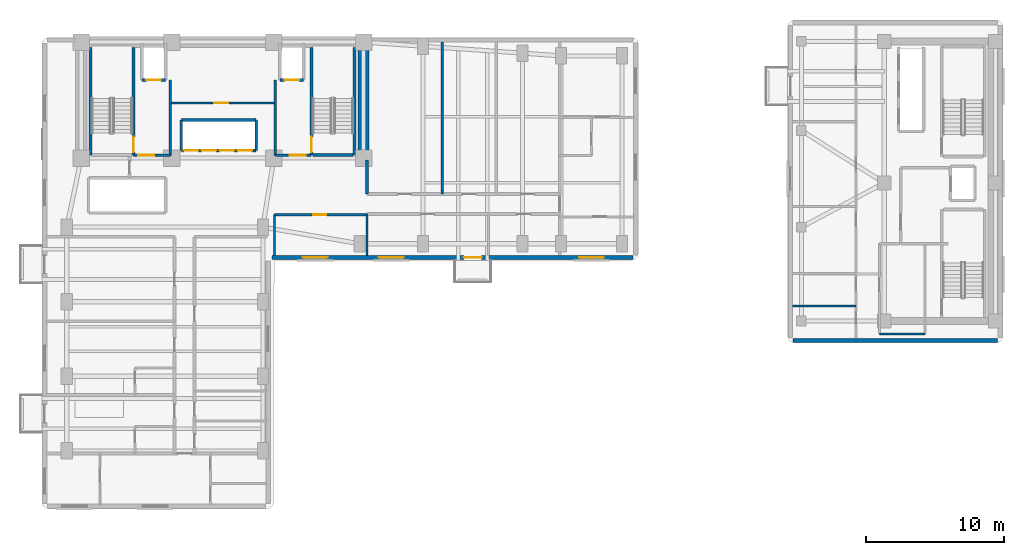
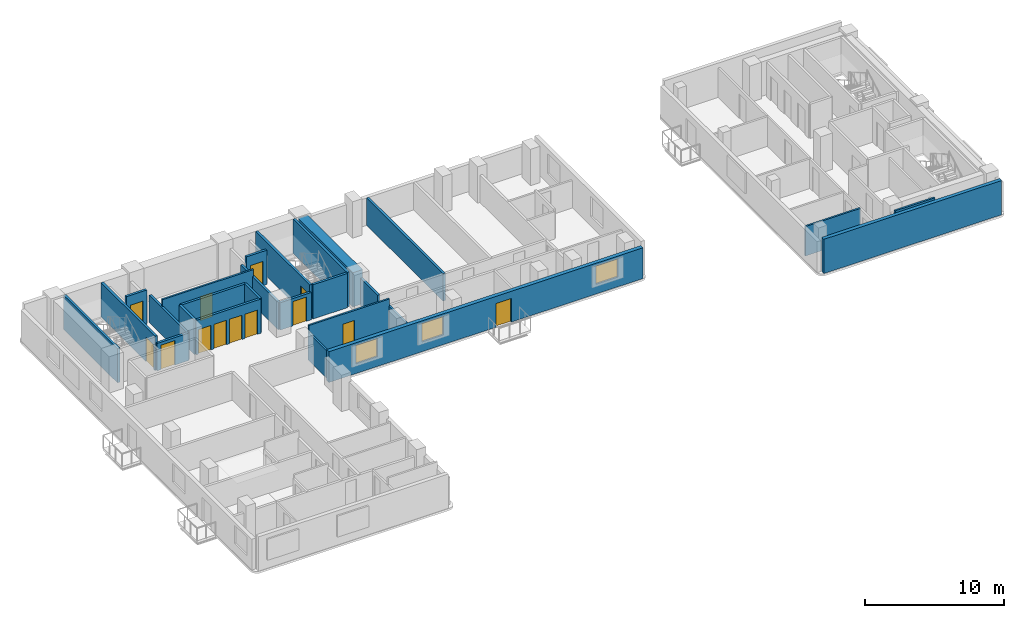
# One storey, part 4 of 9: 26 walls, 13 doors, 3 windows, 16 openings.
"""IFC4 building model written with IfcOpenShell, lengths in metres."""

import ifcopenshell
import ifcopenshell.guid

model = None  # the IFC model being written
_history = None  # IfcOwnerHistory: only IFC2X3 demands one
_inside = {}  # id of a spatial element -> (the spatial element, [elements in it])
_under = {}  # id of a project, library or spatial element -> (it, [spatial elements below it])
_declared = {}  # id of a project -> (the project, [libraries it declares])
_typed = {}  # id of a type object -> (the type object, [elements of that type])
_made_of = {}  # id of a material, layer set ... -> (it, [elements and type objects made of it])


def new_model(schema):
    """Start an empty IFC model of exactly this schema.

    Asked for "IFC4X3", IfcOpenShell would pick the latest addendum, in which some entities
    have other attributes; the version numbers below select the first issue.
    IFC2X3 requires an IfcOwnerHistory on every rooted entity: one is made here for all.
    """
    global model, _history
    if schema == "IFC4X3":
        model = ifcopenshell.file(schema_version=(4, 3, 0, 0))
    else:
        model = ifcopenshell.file(schema=schema)
    _inside.clear()
    _under.clear()
    _declared.clear()
    _typed.clear()
    _made_of.clear()
    _history = None
    if model.schema == "IFC2X3":
        org = make("IfcOrganization", Name="unknown")
        user = make(
            "IfcPersonAndOrganization",
            ThePerson=make("IfcPerson", FamilyName="unknown"),
            TheOrganization=org,
        )
        app = make(
            "IfcApplication",
            ApplicationDeveloper=org,
            Version="unknown",
            ApplicationFullName="unknown",
            ApplicationIdentifier="unknown",
        )
        _history = make(
            "IfcOwnerHistory",
            OwningUser=user,
            OwningApplication=app,
            ChangeAction="ADDED",
            CreationDate=0,
        )
    return model


def make(cls, **values):
    """One entity of the class cls with the attributes given. An attribute that is None is left unset."""
    return model.create_entity(
        cls, **{name: value for name, value in values.items() if value is not None}
    )


def rooted(cls, **values):
    """An entity with a GlobalId (a new one), such as an element, a storey or a relation."""
    return make(cls, GlobalId=ifcopenshell.guid.new(), OwnerHistory=_history, **values)


def si_unit(unit_type, name, prefix=None):
    """IfcSIUnit, for example si_unit("LENGTHUNIT", "METRE", prefix="MILLI")."""
    return make("IfcSIUnit", UnitType=unit_type, Prefix=prefix, Name=name)


def assignment(units):
    """IfcUnitAssignment: the units of a project."""
    return None if units is None else make("IfcUnitAssignment", Units=units)


def point(xyz):
    """IfcCartesianPoint."""
    return None if xyz is None else make("IfcCartesianPoint", Coordinates=xyz)


def direction(xyz):
    """IfcDirection."""
    return None if xyz is None else make("IfcDirection", DirectionRatios=xyz)


def frame(location, z_axis=None, x_axis=None):
    """IfcAxis2Placement3D, a coordinate frame: its origin and axes. An axis left out is left unset."""
    return make(
        "IfcAxis2Placement3D",
        Location=point(location),
        Axis=direction(z_axis),
        RefDirection=direction(x_axis),
    )


def frame_2d(location, x_axis=None):
    """IfcAxis2Placement2D, a coordinate frame in the plane: its origin and x axis."""
    return make(
        "IfcAxis2Placement2D", Location=point(location), RefDirection=direction(x_axis)
    )


def origin():
    """The frame at (0, 0, 0) with its axes left unset."""
    return frame((0.0, 0.0, 0.0))


def place(relative_to, where):
    """IfcLocalPlacement: puts the frame where relative to a parent placement (None: the world)."""
    return make(
        "IfcLocalPlacement", PlacementRelTo=relative_to, RelativePlacement=where
    )


def context(
    kind, dimensions, precision=None, world=None, true_north=None, identifier=None
):
    """IfcGeometricRepresentationContext, for example the 3D "Model" context."""
    return make(
        "IfcGeometricRepresentationContext",
        ContextIdentifier=identifier,
        ContextType=kind,
        CoordinateSpaceDimension=dimensions,
        Precision=precision,
        WorldCoordinateSystem=world,
        TrueNorth=true_north,
    )


def subcontext(parent, identifier, kind, view, scale=None):
    """IfcGeometricRepresentationSubContext, for example "Body" below "Model"."""
    return make(
        "IfcGeometricRepresentationSubContext",
        ContextIdentifier=identifier,
        ContextType=kind,
        ParentContext=parent,
        TargetScale=scale,
        TargetView=view,
    )


def project(units=None, contexts=None):
    """IfcProject with its units and contexts."""
    return rooted(
        "IfcProject",
        Name="project",
        RepresentationContexts=contexts,
        UnitsInContext=assignment(units),
    )


def spatial(cls, under=None, at=None, **own):
    """A site, building, storey or space (cls), placed at a placement, below another one or the project."""
    s = rooted(cls, ObjectPlacement=at, **own)
    if under is not None:
        _under.setdefault(under.id(), (under, []))[1].append(s)
    return s


def profile(cls, at=None, kind="AREA", **sizes):
    """A parametric profile (cls). Its sizes go by their IFC names, for example OverallWidth=200.0."""
    return make(cls, ProfileType=kind, Position=at, **sizes)


def rectangle(**sizes):
    """IfcRectangleProfileDef."""
    return profile("IfcRectangleProfileDef", **sizes)


def extrude(swept, where, along, depth):
    """IfcExtrudedAreaSolid: the profile swept, set in the frame where, extruded along a direction by depth."""
    return make(
        "IfcExtrudedAreaSolid",
        SweptArea=swept,
        Position=where,
        ExtrudedDirection=direction(along),
        Depth=depth,
    )


def shape(context_of_items, identifier, shape_type, items):
    """IfcShapeRepresentation: the items that make up one representation, for example the "Body"."""
    return make(
        "IfcShapeRepresentation",
        ContextOfItems=context_of_items,
        RepresentationIdentifier=identifier,
        RepresentationType=shape_type,
        Items=items,
    )


def material(Name=None, Category=None):
    """IfcMaterial."""
    return make("IfcMaterial", Name=Name, Category=Category)


def layer(
    of_material, thickness, ventilated=None, Name=None, Category=None, Priority=None
):
    """IfcMaterialLayer: one layer of a wall or slab, of a material (None: an air gap)."""
    return make(
        "IfcMaterialLayer",
        Material=of_material,
        LayerThickness=thickness,
        IsVentilated=ventilated,
        Name=Name,
        Category=Category,
        Priority=Priority,
    )


def layer_set(layers, Name=None):
    """IfcMaterialLayerSet."""
    return make("IfcMaterialLayerSet", MaterialLayers=layers, LayerSetName=Name)


def made_of(thing, what):
    """Note that an element or type object is made of a material, layer set ...; save() writes the relation."""
    if what is not None:
        _made_of.setdefault(what.id(), (what, []))[1].append(thing)
    return thing


def type_object(cls, material=None, **own):
    """A type object (cls), such as IfcWallType, which elements share."""
    return made_of(rooted(cls, **own), material)


def element(
    cls,
    number,
    at=None,
    inside=None,
    cuts=None,
    type_object=None,
    material=None,
    context=None,
    identifier="Body",
    shape_type=None,
    held_by="IfcProductDefinitionShape",
    body=None,
    shapes=None,
    **own,
):
    """One element of the class cls, such as IfcWall. Its Tag is "e" and its number.

    at: its placement. inside: the storey or other place that contains it. cuts: it is an
    opening in that element (IfcRelVoidsElement). A single representation is given by context,
    identifier, shape_type and body (its items); several are given by shapes. held_by: the class
    of the entity that holds the representations. save() writes the other relations.
    """
    e = rooted(cls, Tag="e%d" % number, ObjectPlacement=at, **own)
    if body is not None:
        shapes = [shape(context, identifier, shape_type, body)]
    if shapes is not None:
        e.Representation = make(held_by, Representations=shapes)
    if inside is not None:
        _inside.setdefault(inside.id(), (inside, []))[1].append(e)
    if cuts is not None:
        rooted(
            "IfcRelVoidsElement", RelatingBuildingElement=cuts, RelatedOpeningElement=e
        )
    if type_object is not None:
        _typed.setdefault(type_object.id(), (type_object, []))[1].append(e)
    return made_of(e, material)


def fill(opening, filler):
    """IfcRelFillsElement: the door or window that sits in an opening."""
    return rooted(
        "IfcRelFillsElement",
        RelatingOpeningElement=opening,
        RelatedBuildingElement=filler,
    )


def aggregate(whole, parts):
    """IfcRelAggregates: a whole, such as a stair, and the parts it consists of."""
    return rooted("IfcRelAggregates", RelatingObject=whole, RelatedObjects=parts)


def save(model, path):
    """Write the relations noted so far, then the file.

    IfcRelAggregates (storeys below a building ...), IfcRelContainedInSpatialStructure (elements
    in a storey), IfcRelDefinesByType, IfcRelAssociatesMaterial and IfcRelDeclares: one each for
    every whole, place, type object, material and project.
    """
    for whole, parts in _under.values():
        aggregate(whole, parts)
    for where, things in _inside.values():
        rooted(
            "IfcRelContainedInSpatialStructure",
            RelatedElements=things,
            RelatingStructure=where,
        )
    for kind, things in _typed.values():
        rooted("IfcRelDefinesByType", RelatedObjects=things, RelatingType=kind)
    for what, things in _made_of.values():
        rooted("IfcRelAssociatesMaterial", RelatedObjects=things, RelatingMaterial=what)
    for by, libraries in _declared.values():
        rooted("IfcRelDeclares", RelatingContext=by, RelatedDefinitions=libraries)
    model.write(path)


model = new_model("IFC4")

# Units and contexts
model_context = context("Model", 3, precision=1e-05, world=origin(), true_north=direction((0.0, 1.0)))
body_context = subcontext(model_context, "Body", "Model", "MODEL_VIEW")
ifc_project = project(units=[si_unit("LENGTHUNIT", "METRE"), si_unit("AREAUNIT", "SQUARE_METRE"), si_unit("VOLUMEUNIT", "CUBIC_METRE"), si_unit("PLANEANGLEUNIT", "RADIAN"), si_unit("MASSUNIT", "GRAM", prefix="KILO")], contexts=[model_context])

# Site, building, storey
site_placement = place(None, origin())
site = spatial("IfcSite", under=ifc_project, at=site_placement, CompositionType="ELEMENT")
building_placement = place(site_placement, origin())
building = spatial("IfcBuilding", under=site, at=building_placement, Name="Kuzgunbayir Cultural Tower", CompositionType="ELEMENT")
storey_placement = place(building_placement, frame((0.0, 0.0, 96.199951171875)))
storey = spatial("IfcBuildingStorey", under=building, at=storey_placement, Name="L27", CompositionType="ELEMENT", Elevation=96.199951171875)

# Walls
ifc_material_1 = material(Name="Concrete C60/75", Category="concrete")
ifc_layer_1 = layer(ifc_material_1, 0.800048828125)
ifc_layer_set_1 = layer_set([ifc_layer_1], Name="Concrete C60/75")
wall_type_1 = type_object("IfcWallType", Name="WAL-CORE-800", PredefinedType="SHEAR", material=ifc_layer_set_1)
wall_1_placement = place(storey_placement, frame((26.89990234375, 33.800048828125, 0.0), z_axis=(0.0, 0.0, 1.0), x_axis=(0.0, 1.0, 0.0)))
element("IfcWall", 1, at=wall_1_placement, inside=storey, type_object=wall_type_1, Name="L27 T1 Core East Shear Wall", PredefinedType="SHEAR", context=body_context, shape_type="SweptSolid", body=[
    extrude(rectangle(XDim=7.949951171875, YDim=0.800048828125, at=frame_2d((3.97509765625, 0.0))), origin(), (0.0, 0.0, 1.0), 3.02001953125),
])
ifc_material_2 = material(Name="Anatolian Cream Limestone", Category="masonry")
ifc_layer_2 = layer(ifc_material_2, 0.300048828125)
ifc_layer_set_2 = layer_set([ifc_layer_2], Name="Anatolian Cream Limestone")
wall_type_2 = type_object("IfcWallType", Name="WAL-EXT-STONE-300", PredefinedType="STANDARD", material=ifc_layer_set_2)
wall_2_placement = place(storey_placement, frame((58.0, 20.60009765625, 0.0), z_axis=(0.0, 0.0, 1.0), x_axis=(1.0, 0.0, 0.0)))
element("IfcWall", 2, at=wall_2_placement, inside=storey, type_object=wall_type_2, Name="L27 Companion South Limestone Wall", PredefinedType="STANDARD", context=body_context, shape_type="SweptSolid", body=[
    extrude(rectangle(XDim=14.800048828125, YDim=0.300048828125, at=frame_2d((7.39990234375, 0.0))), origin(), (0.0, 0.0, 1.0), 3.02001953125),
])

# Wall, openings, door, windows
ifc_material_3 = material(Name="Travertine Buff Ashlar", Category="masonry")
ifc_layer_3 = layer(ifc_material_3, 0.320068359375)
ifc_layer_set_3 = layer_set([ifc_layer_3], Name="Travertine Buff Ashlar")
wall_type_3 = type_object("IfcWallType", Name="WAL-EXT-STONE-320", PredefinedType="STANDARD", material=ifc_layer_set_3)
wall_3_placement = place(storey_placement, frame((20.25, 26.60009765625, 0.0), z_axis=(0.0, 0.0, 1.0), x_axis=(1.0, 0.0, 0.0)))
wall_3 = element("IfcWall", 3, at=wall_3_placement, inside=storey, type_object=wall_type_3, Name="L27 Wing B South Limestone Wall", PredefinedType="STANDARD", context=body_context, shape_type="SweptSolid", body=[
    extrude(rectangle(XDim=26.14990234375, YDim=0.320068359375, at=frame_2d((13.074951171875, 0.0))), origin(), (0.0, 0.0, 1.0), 2.7099609375),
])
opening_1_placement = place(wall_3_placement, frame((13.89990234375, 0.0, 0.0)))
opening_1 = element("IfcOpeningElement", 4, at=opening_1_placement, cuts=wall_3, Name="Opening BD-13", PredefinedType="OPENING", context=body_context, shape_type="SweptSolid", body=[
    extrude(rectangle(XDim=1.300048828125, YDim=2.080078125, at=frame_2d((0.64990234375, 1.0400390625))), frame((0.0, 0.169921875, 0.0), z_axis=(0.0, -1.0, 0.0), x_axis=(1.0, 0.0, 0.0)), (0.0, 0.0, 1.0), 0.340087890625),
])
opening_2_placement = place(wall_3_placement, frame((2.25, 0.0, 0.85009765625)))
opening_2 = element("IfcOpeningElement", 5, at=opening_2_placement, cuts=wall_3, Name="Opening WH-18", PredefinedType="OPENING", context=body_context, shape_type="SweptSolid", body=[
    extrude(rectangle(XDim=1.800048828125, YDim=1.610107421875, at=frame_2d((0.89990234375, 0.80517578125))), frame((0.0, 0.169921875, 0.0), z_axis=(0.0, -1.0, 0.0), x_axis=(1.0, 0.0, 0.0)), (0.0, 0.0, 1.0), 0.340087890625),
])
opening_3_placement = place(wall_3_placement, frame((7.75, 0.0, 0.85009765625)))
opening_3 = element("IfcOpeningElement", 6, at=opening_3_placement, cuts=wall_3, Name="Opening WH-18", PredefinedType="OPENING", context=body_context, shape_type="SweptSolid", body=[
    extrude(rectangle(XDim=1.800048828125, YDim=1.610107421875, at=frame_2d((0.89990234375, 0.80517578125))), frame((0.0, 0.169921875, 0.0), z_axis=(0.0, -1.0, 0.0), x_axis=(1.0, 0.0, 0.0)), (0.0, 0.0, 1.0), 0.340087890625),
])
opening_4_placement = place(wall_3_placement, frame((22.25, 0.0, 0.85009765625)))
opening_4 = element("IfcOpeningElement", 7, at=opening_4_placement, cuts=wall_3, Name="Opening WH-18", PredefinedType="OPENING", context=body_context, shape_type="SweptSolid", body=[
    extrude(rectangle(XDim=1.800048828125, YDim=1.610107421875, at=frame_2d((0.89990234375, 0.80517578125))), frame((0.0, 0.169921875, 0.0), z_axis=(0.0, -1.0, 0.0), x_axis=(1.0, 0.0, 0.0)), (0.0, 0.0, 1.0), 0.340087890625),
])
ifc_material_4 = material(Name="Thermally Broken Glazed Aluminium", Category="aluminium")
door_type_1 = type_object("IfcDoorType", Name="DR-BALCONY-135", OperationType="SLIDING_TO_LEFT", PredefinedType="DOOR", material=ifc_material_4)
door_1_placement = place(opening_1_placement, origin())
door_1 = element("IfcDoor", 8, at=door_1_placement, inside=storey, type_object=door_type_1, Name="L27 South Balcony Sliding Door BAL-L27-WB2", OperationType="SLIDING_TO_LEFT", OverallHeight=2.080078125, OverallWidth=1.300048828125, PredefinedType="DOOR", context=body_context, shape_type="SweptSolid", body=[
    extrude(rectangle(XDim=1.300048828125, YDim=2.080078125, at=frame_2d((0.64990234375, 1.0400390625))), frame((0.0, 0.02490234375, 0.0), z_axis=(0.0, -1.0, 0.0), x_axis=(1.0, 0.0, 0.0)), (0.0, 0.0, 1.0), 0.050048828125),
])
fill(opening_1, door_1)
ifc_material_5 = material(Name="Solar-Control Triple Glazing", Category="glass")
window_type = type_object("IfcWindowType", Name="WIN-HOTEL-18", PartitioningType="SINGLE_PANEL", PredefinedType="WINDOW", material=ifc_material_5)
window_1_placement = place(opening_2_placement, origin())
window_1 = element("IfcWindow", 9, at=window_1_placement, inside=storey, type_object=window_type, Name="L27 WBS Facade Window 10", OverallHeight=1.610107421875, OverallWidth=1.800048828125, PartitioningType="SINGLE_PANEL", PredefinedType="WINDOW", context=body_context, shape_type="SweptSolid", body=[
    extrude(rectangle(XDim=1.800048828125, YDim=1.610107421875, at=frame_2d((0.89990234375, 0.80517578125))), frame((0.0, 0.030029296875, 0.0), z_axis=(0.0, -1.0, 0.0), x_axis=(1.0, 0.0, 0.0)), (0.0, 0.0, 1.0), 0.06005859375),
])
fill(opening_2, window_1)
window_2_placement = place(opening_3_placement, origin())
window_2 = element("IfcWindow", 10, at=window_2_placement, inside=storey, type_object=window_type, Name="L27 WBS Facade Window 11", OverallHeight=1.610107421875, OverallWidth=1.800048828125, PartitioningType="SINGLE_PANEL", PredefinedType="WINDOW", context=body_context, shape_type="SweptSolid", body=[
    extrude(rectangle(XDim=1.800048828125, YDim=1.610107421875, at=frame_2d((0.89990234375, 0.80517578125))), frame((0.0, 0.030029296875, 0.0), z_axis=(0.0, -1.0, 0.0), x_axis=(1.0, 0.0, 0.0)), (0.0, 0.0, 1.0), 0.06005859375),
])
fill(opening_3, window_2)
window_3_placement = place(opening_4_placement, origin())
window_3 = element("IfcWindow", 11, at=window_3_placement, inside=storey, type_object=window_type, Name="L27 WBS Facade Window 12", OverallHeight=1.610107421875, OverallWidth=1.800048828125, PartitioningType="SINGLE_PANEL", PredefinedType="WINDOW", context=body_context, shape_type="SweptSolid", body=[
    extrude(rectangle(XDim=1.800048828125, YDim=1.610107421875, at=frame_2d((0.89990234375, 0.80517578125))), frame((0.0, 0.030029296875, 0.0), z_axis=(0.0, -1.0, 0.0), x_axis=(1.0, 0.0, 0.0)), (0.0, 0.0, 1.0), 0.06005859375),
])
fill(opening_4, window_3)

# Wall, opening, door
ifc_material_6 = material(Name="Acoustic Double-Stud Drywall", Category="gypsum")
ifc_layer_4 = layer(ifc_material_6, 0.14990234375)
ifc_layer_set_4 = layer_set([ifc_layer_4], Name="Acoustic Double-Stud Drywall")
wall_type_4 = type_object("IfcWallType", Name="WAL-PART-ACOUSTIC-150", PredefinedType="PARTITIONING", material=ifc_layer_set_4)
wall_4_placement = place(storey_placement, frame((12.89990234375, 37.800048828125, 0.0), z_axis=(0.0, 0.0, 1.0), x_axis=(1.0, 0.0, 0.0)))
wall_4 = element("IfcWall", 12, at=wall_4_placement, inside=storey, type_object=wall_type_4, Name="L27 Repurposed Core Suite Wall", PredefinedType="PARTITIONING", context=body_context, shape_type="SweptSolid", body=[
    extrude(rectangle(XDim=7.60009765625, YDim=0.14990234375, at=frame_2d((3.800048828125, 0.0))), origin(), (0.0, 0.0, 1.0), 3.02001953125),
])
opening_5_placement = place(wall_4_placement, frame((3.199951171875, 0.0, 0.0)))
opening_5 = element("IfcOpeningElement", 13, at=opening_5_placement, cuts=wall_4, Name="Opening DC-100", PredefinedType="OPENING", context=body_context, shape_type="SweptSolid", body=[
    extrude(rectangle(XDim=1.0, YDim=2.14990234375, at=frame_2d((0.5, 1.074951171875))), frame((0.0, 0.0849609375, 0.0), z_axis=(0.0, -1.0, 0.0), x_axis=(1.0, 0.0, 0.0)), (0.0, 0.0, 1.0), 0.169921875),
])
ifc_material_7 = material(Name="Fire-Rated Veneered Oak Leaf", Category="wood")
door_type_2 = type_object("IfcDoorType", Name="DR-CORE-100", OperationType="NOTDEFINED", PredefinedType="DOOR", material=ifc_material_7)
door_2_placement = place(opening_5_placement, origin())
door_2 = element("IfcDoor", 14, at=door_2_placement, inside=storey, type_object=door_type_2, Name="L27 Core Reading Salon Door", OperationType="SINGLE_SWING_LEFT", OverallHeight=2.14990234375, OverallWidth=1.0, PredefinedType="DOOR", context=body_context, shape_type="SweptSolid", body=[
    extrude(rectangle(XDim=1.0, YDim=2.14990234375, at=frame_2d((0.5, 1.074951171875))), frame((0.0, 0.02490234375, 0.0), z_axis=(0.0, -1.0, 0.0), x_axis=(1.0, 0.0, 0.0)), (0.0, 0.0, 1.0), 0.050048828125),
])
fill(opening_5, door_2)

wall_5_placement = place(storey_placement, frame((20.449951171875, 29.699951171875, 0.0), z_axis=(0.0, 0.0, 1.0), x_axis=(1.0, 0.0, 0.0)))
wall_5 = element("IfcWall", 15, at=wall_5_placement, inside=storey, type_object=wall_type_4, Name="L27 Waist Alcove North Wall", PredefinedType="PARTITIONING", context=body_context, shape_type="SweptSolid", body=[
    extrude(rectangle(XDim=6.699951171875, YDim=0.14990234375, at=frame_2d((3.35009765625, 0.0))), origin(), (0.0, 0.0, 1.0), 3.02001953125),
])
opening_6_placement = place(wall_5_placement, frame((2.800048828125, 0.0, 0.0)))
opening_6 = element("IfcOpeningElement", 16, at=opening_6_placement, cuts=wall_5, Name="Opening DI-90", PredefinedType="OPENING", context=body_context, shape_type="SweptSolid", body=[
    extrude(rectangle(XDim=0.949951171875, YDim=2.14990234375, at=frame_2d((0.47509765625, 1.074951171875))), frame((0.0, 0.0849609375, 0.0), z_axis=(0.0, -1.0, 0.0), x_axis=(1.0, 0.0, 0.0)), (0.0, 0.0, 1.0), 0.169921875),
])
ifc_material_8 = material(Name="Veneered Oak Single Leaf", Category="wood")
door_type_3 = type_object("IfcDoorType", Name="DR-INT-90", OperationType="NOTDEFINED", PredefinedType="DOOR", material=ifc_material_8)
door_3_placement = place(opening_6_placement, origin())
door_3 = element("IfcDoor", 17, at=door_3_placement, inside=storey, type_object=door_type_3, Name="L27 Waist Alcove Door", OperationType="SINGLE_SWING_RIGHT", OverallHeight=2.14990234375, OverallWidth=0.949951171875, PredefinedType="DOOR", context=body_context, shape_type="SweptSolid", body=[
    extrude(rectangle(XDim=0.949951171875, YDim=2.14990234375, at=frame_2d((0.47509765625, 1.074951171875))), frame((0.0, 0.02490234375, 0.0), z_axis=(0.0, -1.0, 0.0), x_axis=(1.0, 0.0, 0.0)), (0.0, 0.0, 1.0), 0.050048828125),
])
fill(opening_6, door_3)

# Walls
wall_6_placement = place(storey_placement, frame((20.449951171875, 26.75, 0.0), z_axis=(0.0, 0.0, 1.0), x_axis=(0.0, 1.0, 0.0)))
element("IfcWall", 18, at=wall_6_placement, inside=storey, type_object=wall_type_4, Name="L27 Waist Alcove West Wall", PredefinedType="PARTITIONING", context=body_context, shape_type="SweptSolid", body=[
    extrude(rectangle(XDim=2.949951171875, YDim=0.14990234375, at=frame_2d((1.47509765625, 0.0))), origin(), (0.0, 0.0, 1.0), 2.41015625),
])
wall_7_placement = place(storey_placement, frame((27.14990234375, 26.75, 0.0), z_axis=(0.0, 0.0, 1.0), x_axis=(0.0, 1.0, 0.0)))
element("IfcWall", 19, at=wall_7_placement, inside=storey, type_object=wall_type_4, Name="L27 Waist Alcove East Wall", PredefinedType="PARTITIONING", context=body_context, shape_type="SweptSolid", body=[
    extrude(rectangle(XDim=3.0, YDim=0.14990234375, at=frame_2d((1.5, 0.0))), origin(), (0.0, 0.0, 1.0), 2.41015625),
])
wall_8_placement = place(storey_placement, frame((64.25, 21.050048828125, 0.0), z_axis=(0.0, 0.0, 1.0), x_axis=(1.0, 0.0, 0.0)))
element("IfcWall", 20, at=wall_8_placement, inside=storey, type_object=wall_type_4, Name="L27 Companion Archive South Wall", PredefinedType="PARTITIONING", context=body_context, shape_type="SweptSolid", body=[
    extrude(rectangle(XDim=3.300048828125, YDim=0.14990234375, at=frame_2d((1.64990234375, 0.0))), origin(), (0.0, 0.0, 1.0), 3.02001953125),
])
ifc_material_9 = material(Name="Aerated Concrete Blockwork", Category="masonry")
ifc_layer_5 = layer(ifc_material_9, 0.199951171875)
ifc_layer_set_5 = layer_set([ifc_layer_5], Name="Aerated Concrete Blockwork")
wall_type_5 = type_object("IfcWallType", Name="WAL-PART-FIRE-200", PredefinedType="PARTITIONING", material=ifc_layer_set_5)
wall_9_placement = place(storey_placement, frame((12.89990234375, 34.0, 0.0), z_axis=(0.0, 0.0, 1.0), x_axis=(0.0, 1.0, 0.0)))
element("IfcWall", 21, at=wall_9_placement, inside=storey, type_object=wall_type_5, Name="L27 FFL-1 Lobby East Fire Wall", PredefinedType="PARTITIONING", context=body_context, shape_type="SweptSolid", body=[
    extrude(rectangle(XDim=5.449951171875, YDim=0.199951171875, at=frame_2d((2.72509765625, 0.0))), origin(), (0.0, 0.0, 1.0), 2.41015625),
])

# Wall, opening, door
wall_10_placement = place(storey_placement, frame((10.239990234375, 34.0, 0.0), z_axis=(0.0, 0.0, 1.0), x_axis=(1.0, 0.0, 0.0)))
wall_10 = element("IfcWall", 22, at=wall_10_placement, inside=storey, type_object=wall_type_5, Name="L27 FFL-1 Lobby South Fire Wall", PredefinedType="PARTITIONING", context=body_context, shape_type="SweptSolid", body=[
    extrude(rectangle(XDim=2.659912109375, YDim=0.199951171875, at=frame_2d((1.330078125, 0.0))), origin(), (0.0, 0.0, 1.0), 2.41015625),
])
opening_7_placement = place(wall_10_placement, frame((0.35009765625, 0.0, 0.0)))
opening_7 = element("IfcOpeningElement", 23, at=opening_7_placement, cuts=wall_10, Name="Opening DR-FFL-90", PredefinedType="OPENING", context=body_context, shape_type="SweptSolid", body=[
    extrude(rectangle(XDim=1.14990234375, YDim=2.14990234375, at=frame_2d((0.574951171875, 1.074951171875))), frame((0.0, 0.10986328125, 0.0), z_axis=(0.0, -1.0, 0.0), x_axis=(1.0, 0.0, 0.0)), (0.0, 0.0, 1.0), 0.219970703125),
])
ifc_material_10 = material(Name="Steel S355J2", Category="steel")
door_type_4 = type_object("IfcDoorType", Name="DR-FFL-90", OperationType="NOTDEFINED", PredefinedType="DOOR", material=ifc_material_10)
door_4_placement = place(opening_7_placement, origin())
door_4 = element("IfcDoor", 24, at=door_4_placement, inside=storey, type_object=door_type_4, Name="L27 Firefighting Lobby 1 Door", OperationType="SINGLE_SWING_RIGHT", OverallHeight=2.14990234375, OverallWidth=1.14990234375, PredefinedType="DOOR", context=body_context, shape_type="SweptSolid", body=[
    extrude(rectangle(XDim=1.14990234375, YDim=2.14990234375, at=frame_2d((0.574951171875, 1.074951171875))), frame((0.0, 0.02490234375, 0.0), z_axis=(0.0, -1.0, 0.0), x_axis=(1.0, 0.0, 0.0)), (0.0, 0.0, 1.0), 0.050048828125),
])
fill(opening_7, door_4)

# Wall
wall_11_placement = place(storey_placement, frame((20.5, 34.0, 0.0), z_axis=(0.0, 0.0, 1.0), x_axis=(0.0, 1.0, 0.0)))
element("IfcWall", 25, at=wall_11_placement, inside=storey, type_object=wall_type_5, Name="L27 FFL-2 Lobby West Fire Wall", PredefinedType="PARTITIONING", context=body_context, shape_type="SweptSolid", body=[
    extrude(rectangle(XDim=5.449951171875, YDim=0.199951171875, at=frame_2d((2.72509765625, 0.0))), origin(), (0.0, 0.0, 1.0), 2.41015625),
])

# Wall, opening, door
wall_12_placement = place(storey_placement, frame((20.5, 34.0, 0.0), z_axis=(0.0, 0.0, 1.0), x_axis=(1.0, 0.0, 0.0)))
wall_12 = element("IfcWall", 26, at=wall_12_placement, inside=storey, type_object=wall_type_5, Name="L27 FFL-2 Lobby South Fire Wall", PredefinedType="PARTITIONING", context=body_context, shape_type="SweptSolid", body=[
    extrude(rectangle(XDim=2.60009765625, YDim=0.199951171875, at=frame_2d((1.300048828125, 0.0))), origin(), (0.0, 0.0, 1.0), 2.41015625),
])
opening_8_placement = place(wall_12_placement, frame((1.050048828125, 0.0, 0.0)))
opening_8 = element("IfcOpeningElement", 27, at=opening_8_placement, cuts=wall_12, Name="Opening DR-FFL-90", PredefinedType="OPENING", context=body_context, shape_type="SweptSolid", body=[
    extrude(rectangle(XDim=1.14990234375, YDim=2.14990234375, at=frame_2d((0.574951171875, 1.074951171875))), frame((0.0, 0.10986328125, 0.0), z_axis=(0.0, -1.0, 0.0), x_axis=(1.0, 0.0, 0.0)), (0.0, 0.0, 1.0), 0.219970703125),
])
door_5_placement = place(opening_8_placement, origin())
door_5 = element("IfcDoor", 28, at=door_5_placement, inside=storey, type_object=door_type_4, Name="L27 Firefighting Lobby 2 Door", OperationType="SINGLE_SWING_LEFT", OverallHeight=2.14990234375, OverallWidth=1.14990234375, PredefinedType="DOOR", context=body_context, shape_type="SweptSolid", body=[
    extrude(rectangle(XDim=1.14990234375, YDim=2.14990234375, at=frame_2d((0.574951171875, 1.074951171875))), frame((0.0, 0.02490234375, 0.0), z_axis=(0.0, -1.0, 0.0), x_axis=(1.0, 0.0, 0.0)), (0.0, 0.0, 1.0), 0.050048828125),
])
fill(opening_8, door_5)

# Walls
wall_13_placement = place(storey_placement, frame((27.14990234375, 31.199951171875, 0.0), z_axis=(0.0, 0.0, 1.0), x_axis=(0.0, 1.0, 0.0)))
element("IfcWall", 29, at=wall_13_placement, inside=storey, type_object=wall_type_5, Name="L27 Wing B North Core Closure Wall", PredefinedType="PARTITIONING", context=body_context, shape_type="SweptSolid", body=[
    extrude(rectangle(XDim=2.47998046875, YDim=0.199951171875, at=frame_2d((1.239990234375, 0.0))), origin(), (0.0, 0.0, 1.0), 2.41015625),
])
wall_14_placement = place(storey_placement, frame((32.590087890625, 31.199951171875, 0.0), z_axis=(0.0, 0.0, 1.0), x_axis=(0.0, 1.0, 0.0)))
element("IfcWall", 30, at=wall_14_placement, inside=storey, type_object=wall_type_5, Name="L27 Wing B North Party Wall 1", PredefinedType="PARTITIONING", context=body_context, shape_type="SweptSolid", body=[
    extrude(rectangle(XDim=11.0, YDim=0.199951171875, at=frame_2d((5.5, 0.0))), origin(), (0.0, 0.0, 1.0), 2.41015625),
])
ifc_material_11 = material(Name="Moisture-Resistant Tile Partition", Category="gypsum")
ifc_layer_6 = layer(ifc_material_11, 0.14990234375)
ifc_layer_set_6 = layer_set([ifc_layer_6], Name="Moisture-Resistant Tile Partition")
wall_type_6 = type_object("IfcWallType", Name="WAL-PART-WET-150", PredefinedType="PARTITIONING", material=ifc_layer_set_6)
wall_15_placement = place(storey_placement, frame((57.949951171875, 23.10009765625, 0.0), z_axis=(0.0, 0.0, 1.0), x_axis=(1.0, 0.0, 0.0)))
element("IfcWall", 31, at=wall_15_placement, inside=storey, type_object=wall_type_6, Name="L27 Companion WC North Wall", PredefinedType="PARTITIONING", context=body_context, shape_type="SweptSolid", body=[
    extrude(rectangle(XDim=4.60009765625, YDim=0.14990234375, at=frame_2d((2.300048828125, 0.0))), origin(), (0.0, 0.0, 1.0), 2.60009765625),
])

# Wall, opening, door
ifc_material_12 = material(Name="Concrete C40/50", Category="concrete")
ifc_layer_7 = layer(ifc_material_12, 0.199951171875)
ifc_layer_set_7 = layer_set([ifc_layer_7], Name="Concrete C40/50")
wall_type_7 = type_object("IfcWallType", Name="WAL-SHAFT-200", PredefinedType="MOVABLE", material=ifc_layer_set_7)
wall_16_placement = place(storey_placement, frame((10.85009765625, 39.449951171875, 0.0), z_axis=(0.0, 0.0, 1.0), x_axis=(1.0, 0.0, 0.0)))
wall_16 = element("IfcWall", 32, at=wall_16_placement, inside=storey, type_object=wall_type_7, Name="L27 FFL-1 Lift Front Wall", PredefinedType="MOVABLE", context=body_context, shape_type="SweptSolid", body=[
    extrude(rectangle(XDim=1.699951171875, YDim=0.199951171875, at=frame_2d((0.85009765625, 0.0))), origin(), (0.0, 0.0, 1.0), 3.02001953125),
])
opening_9_placement = place(wall_16_placement, frame((0.320068359375, 0.0, 0.0)))
opening_9 = element("IfcOpeningElement", 33, at=opening_9_placement, cuts=wall_16, Name="Opening LD", PredefinedType="OPENING", context=body_context, shape_type="SweptSolid", body=[
    extrude(rectangle(XDim=1.050048828125, YDim=2.14990234375, at=frame_2d((0.52490234375, 1.074951171875))), frame((0.0, 0.10986328125, 0.0), z_axis=(0.0, -1.0, 0.0), x_axis=(1.0, 0.0, 0.0)), (0.0, 0.0, 1.0), 0.219970703125),
])
ifc_material_13 = material(Name="Brushed Stainless Steel", Category="steel")
door_type_5 = type_object("IfcDoorType", Name="DR-LIFT-LANDING", OperationType="SLIDING_TO_LEFT", PredefinedType="DOOR", material=ifc_material_13)
door_6_placement = place(opening_9_placement, origin())
door_6 = element("IfcDoor", 34, at=door_6_placement, inside=storey, type_object=door_type_5, Name="L27 Lift FFL-1 Landing Door", OperationType="SLIDING_TO_LEFT", OverallHeight=2.14990234375, OverallWidth=1.050048828125, PredefinedType="DOOR", context=body_context, shape_type="SweptSolid", body=[
    extrude(rectangle(XDim=1.050048828125, YDim=2.14990234375, at=frame_2d((0.52490234375, 1.074951171875))), frame((0.0, 0.02490234375, 0.0), z_axis=(0.0, -1.0, 0.0), x_axis=(1.0, 0.0, 0.0)), (0.0, 0.0, 1.0), 0.050048828125),
])
fill(opening_9, door_6)

wall_17_placement = place(storey_placement, frame((20.85009765625, 39.449951171875, 0.0), z_axis=(0.0, 0.0, 1.0), x_axis=(1.0, 0.0, 0.0)))
wall_17 = element("IfcWall", 35, at=wall_17_placement, inside=storey, type_object=wall_type_7, Name="L27 FFL-2 Lift Front Wall", PredefinedType="MOVABLE", context=body_context, shape_type="SweptSolid", body=[
    extrude(rectangle(XDim=1.699951171875, YDim=0.199951171875, at=frame_2d((0.85009765625, 0.0))), origin(), (0.0, 0.0, 1.0), 3.02001953125),
])
opening_10_placement = place(wall_17_placement, frame((0.320068359375, 0.0, 0.0)))
opening_10 = element("IfcOpeningElement", 36, at=opening_10_placement, cuts=wall_17, Name="Opening LD", PredefinedType="OPENING", context=body_context, shape_type="SweptSolid", body=[
    extrude(rectangle(XDim=1.050048828125, YDim=2.14990234375, at=frame_2d((0.52490234375, 1.074951171875))), frame((0.0, 0.10986328125, 0.0), z_axis=(0.0, -1.0, 0.0), x_axis=(1.0, 0.0, 0.0)), (0.0, 0.0, 1.0), 0.219970703125),
])
door_7_placement = place(opening_10_placement, origin())
door_7 = element("IfcDoor", 37, at=door_7_placement, inside=storey, type_object=door_type_5, Name="L27 Lift FFL-2 Landing Door", OperationType="SLIDING_TO_LEFT", OverallHeight=2.14990234375, OverallWidth=1.050048828125, PredefinedType="DOOR", context=body_context, shape_type="SweptSolid", body=[
    extrude(rectangle(XDim=1.050048828125, YDim=2.14990234375, at=frame_2d((0.52490234375, 1.074951171875))), frame((0.0, 0.02490234375, 0.0), z_axis=(0.0, -1.0, 0.0), x_axis=(1.0, 0.0, 0.0)), (0.0, 0.0, 1.0), 0.050048828125),
])
fill(opening_10, door_7)

# Wall, openings, doors
wall_18_placement = place(storey_placement, frame((13.699951171875, 34.35009765625, 0.0), z_axis=(0.0, 0.0, 1.0), x_axis=(1.0, 0.0, 0.0)))
wall_18 = element("IfcWall", 38, at=wall_18_placement, inside=storey, type_object=wall_type_7, Name="L27 Mid-Rise Lift Front Wall", PredefinedType="MOVABLE", context=body_context, shape_type="SweptSolid", body=[
    extrude(rectangle(XDim=5.420166015625, YDim=0.199951171875, at=frame_2d((2.7099609375, 0.0))), origin(), (0.0, 0.0, 1.0), 3.02001953125),
])
opening_11_placement = place(wall_18_placement, frame((0.179931640625, 0.0, 0.0)))
opening_11 = element("IfcOpeningElement", 39, at=opening_11_placement, cuts=wall_18, Name="Opening LD", PredefinedType="OPENING", context=body_context, shape_type="SweptSolid", body=[
    extrude(rectangle(XDim=1.050048828125, YDim=2.14990234375, at=frame_2d((0.52490234375, 1.074951171875))), frame((0.0, 0.10986328125, 0.0), z_axis=(0.0, -1.0, 0.0), x_axis=(1.0, 0.0, 0.0)), (0.0, 0.0, 1.0), 0.219970703125),
])
opening_12_placement = place(wall_18_placement, frame((1.469970703125, 0.0, 0.0)))
opening_12 = element("IfcOpeningElement", 40, at=opening_12_placement, cuts=wall_18, Name="Opening LD", PredefinedType="OPENING", context=body_context, shape_type="SweptSolid", body=[
    extrude(rectangle(XDim=1.050048828125, YDim=2.14990234375, at=frame_2d((0.52490234375, 1.074951171875))), frame((0.0, 0.10986328125, 0.0), z_axis=(0.0, -1.0, 0.0), x_axis=(1.0, 0.0, 0.0)), (0.0, 0.0, 1.0), 0.219970703125),
])
opening_13_placement = place(wall_18_placement, frame((2.780029296875, 0.0, 0.0)))
opening_13 = element("IfcOpeningElement", 41, at=opening_13_placement, cuts=wall_18, Name="Opening LD", PredefinedType="OPENING", context=body_context, shape_type="SweptSolid", body=[
    extrude(rectangle(XDim=1.050048828125, YDim=2.14990234375, at=frame_2d((0.52490234375, 1.074951171875))), frame((0.0, 0.10986328125, 0.0), z_axis=(0.0, -1.0, 0.0), x_axis=(1.0, 0.0, 0.0)), (0.0, 0.0, 1.0), 0.219970703125),
])
opening_14_placement = place(wall_18_placement, frame((4.080078125, 0.0, 0.0)))
opening_14 = element("IfcOpeningElement", 42, at=opening_14_placement, cuts=wall_18, Name="Opening LD", PredefinedType="OPENING", context=body_context, shape_type="SweptSolid", body=[
    extrude(rectangle(XDim=1.050048828125, YDim=2.14990234375, at=frame_2d((0.52490234375, 1.074951171875))), frame((0.0, 0.10986328125, 0.0), z_axis=(0.0, -1.0, 0.0), x_axis=(1.0, 0.0, 0.0)), (0.0, 0.0, 1.0), 0.219970703125),
])
door_8_placement = place(opening_11_placement, origin())
door_8 = element("IfcDoor", 43, at=door_8_placement, inside=storey, type_object=door_type_5, Name="L27 Lift PM-1 Landing Door", OperationType="SLIDING_TO_LEFT", OverallHeight=2.14990234375, OverallWidth=1.050048828125, PredefinedType="DOOR", context=body_context, shape_type="SweptSolid", body=[
    extrude(rectangle(XDim=1.050048828125, YDim=2.14990234375, at=frame_2d((0.52490234375, 1.074951171875))), frame((0.0, 0.02490234375, 0.0), z_axis=(0.0, -1.0, 0.0), x_axis=(1.0, 0.0, 0.0)), (0.0, 0.0, 1.0), 0.050048828125),
])
fill(opening_11, door_8)
door_9_placement = place(opening_12_placement, origin())
door_9 = element("IfcDoor", 44, at=door_9_placement, inside=storey, type_object=door_type_5, Name="L27 Lift PM-2 Landing Door", OperationType="SLIDING_TO_LEFT", OverallHeight=2.14990234375, OverallWidth=1.050048828125, PredefinedType="DOOR", context=body_context, shape_type="SweptSolid", body=[
    extrude(rectangle(XDim=1.050048828125, YDim=2.14990234375, at=frame_2d((0.52490234375, 1.074951171875))), frame((0.0, 0.02490234375, 0.0), z_axis=(0.0, -1.0, 0.0), x_axis=(1.0, 0.0, 0.0)), (0.0, 0.0, 1.0), 0.050048828125),
])
fill(opening_12, door_9)
door_10_placement = place(opening_13_placement, origin())
door_10 = element("IfcDoor", 45, at=door_10_placement, inside=storey, type_object=door_type_5, Name="L27 Lift PM-3 Landing Door", OperationType="SLIDING_TO_LEFT", OverallHeight=2.14990234375, OverallWidth=1.050048828125, PredefinedType="DOOR", context=body_context, shape_type="SweptSolid", body=[
    extrude(rectangle(XDim=1.050048828125, YDim=2.14990234375, at=frame_2d((0.52490234375, 1.074951171875))), frame((0.0, 0.02490234375, 0.0), z_axis=(0.0, -1.0, 0.0), x_axis=(1.0, 0.0, 0.0)), (0.0, 0.0, 1.0), 0.050048828125),
])
fill(opening_13, door_10)
door_11_placement = place(opening_14_placement, origin())
door_11 = element("IfcDoor", 46, at=door_11_placement, inside=storey, type_object=door_type_5, Name="L27 Lift PM-4 Landing Door", OperationType="SLIDING_TO_LEFT", OverallHeight=2.14990234375, OverallWidth=1.050048828125, PredefinedType="DOOR", context=body_context, shape_type="SweptSolid", body=[
    extrude(rectangle(XDim=1.050048828125, YDim=2.14990234375, at=frame_2d((0.52490234375, 1.074951171875))), frame((0.0, 0.02490234375, 0.0), z_axis=(0.0, -1.0, 0.0), x_axis=(1.0, 0.0, 0.0)), (0.0, 0.0, 1.0), 0.050048828125),
])
fill(opening_14, door_11)

# Walls
wall_19_placement = place(storey_placement, frame((13.699951171875, 36.550048828125, 0.0), z_axis=(0.0, 0.0, 1.0), x_axis=(1.0, 0.0, 0.0)))
element("IfcWall", 47, at=wall_19_placement, inside=storey, type_object=wall_type_7, Name="L27 Mid-Rise Lift Shaft North Wall", PredefinedType="MOVABLE", context=body_context, shape_type="SweptSolid", body=[
    extrude(rectangle(XDim=5.420166015625, YDim=0.199951171875, at=frame_2d((2.7099609375, 0.0))), origin(), (0.0, 0.0, 1.0), 3.02001953125),
])
for number, where, z_axis, x_axis, name in (
    (48, (13.699951171875, 34.35009765625, 0.0), (0.0, 0.0, 1.0), (0.0, 1.0, 0.0), "L27 Mid-Rise Lift Shaft West Wall"),
    (49, (19.1201171875, 34.35009765625, 0.0), (0.0, 0.0, 1.0), (0.0, 1.0, 0.0), "L27 Mid-Rise Lift Shaft East Wall"),
):
    element("IfcWall", number, at=place(storey_placement, frame(where, z_axis=z_axis, x_axis=x_axis)), inside=storey, type_object=wall_type_7, Name=name, PredefinedType="MOVABLE", context=body_context, shape_type="SweptSolid", body=[
        extrude(rectangle(XDim=2.199951171875, YDim=0.199951171875, at=frame_2d((1.10009765625, 0.0))), origin(), (0.0, 0.0, 1.0), 3.02001953125),
    ])
ifc_layer_8 = layer(ifc_material_12, 0.199951171875)
ifc_layer_set_8 = layer_set([ifc_layer_8], Name="Concrete C40/50")
wall_type_8 = type_object("IfcWallType", Name="WAL-STAIR-RC-200", PredefinedType="SHEAR", material=ifc_layer_set_8)
wall_20_placement = place(storey_placement, frame((7.1201171875, 34.02001953125, 0.0), z_axis=(0.0, 0.0, 1.0), x_axis=(0.0, 1.0, 0.0)))
element("IfcWall", 50, at=wall_20_placement, inside=storey, type_object=wall_type_8, Name="L27 Stair ST-1 West Structural Wall", PredefinedType="SHEAR", context=body_context, shape_type="SweptSolid", body=[
    extrude(rectangle(XDim=7.780029296875, YDim=0.199951171875, at=frame_2d((3.89013671875, 0.0))), origin(), (0.0, 0.0, 1.0), 3.02001953125),
])

# Wall, opening, door
wall_21_placement = place(storey_placement, frame((10.239990234375, 34.02001953125, 0.0), z_axis=(0.0, 0.0, 1.0), x_axis=(0.0, 1.0, 0.0)))
wall_21 = element("IfcWall", 51, at=wall_21_placement, inside=storey, type_object=wall_type_8, Name="L27 Stair ST-1 East Structural Wall", PredefinedType="SHEAR", context=body_context, shape_type="SweptSolid", body=[
    extrude(rectangle(XDim=7.780029296875, YDim=0.199951171875, at=frame_2d((3.89013671875, 0.0))), origin(), (0.0, 0.0, 1.0), 3.02001953125),
])
opening_15_placement = place(wall_21_placement, frame((0.219970703125, 0.0, 0.0)))
opening_15 = element("IfcOpeningElement", 52, at=opening_15_placement, cuts=wall_21, Name="Opening DR-STAIR-90", PredefinedType="OPENING", context=body_context, shape_type="SweptSolid", body=[
    extrude(rectangle(XDim=1.10009765625, YDim=2.14990234375, at=frame_2d((0.550048828125, 1.074951171875))), frame((0.0, 0.10986328125, 0.0), z_axis=(0.0, -1.0, 0.0), x_axis=(1.0, 0.0, 0.0)), (0.0, 0.0, 1.0), 0.219970703125),
])
door_type_6 = type_object("IfcDoorType", Name="DR-STAIR-90", OperationType="NOTDEFINED", PredefinedType="DOOR", material=ifc_material_10)
door_12_placement = place(opening_15_placement, origin())
door_12 = element("IfcDoor", 53, at=door_12_placement, inside=storey, type_object=door_type_6, Name="L27 Stair ST-1 Fire Door", OperationType="SINGLE_SWING_LEFT", OverallHeight=2.14990234375, OverallWidth=1.10009765625, PredefinedType="DOOR", context=body_context, shape_type="SweptSolid", body=[
    extrude(rectangle(XDim=1.10009765625, YDim=2.14990234375, at=frame_2d((0.550048828125, 1.074951171875))), frame((0.0, 0.02490234375, 0.0), z_axis=(0.0, -1.0, 0.0), x_axis=(1.0, 0.0, 0.0)), (0.0, 0.0, 1.0), 0.050048828125),
])
fill(opening_15, door_12)

wall_22_placement = place(storey_placement, frame((23.1201171875, 34.02001953125, 0.0), z_axis=(0.0, 0.0, 1.0), x_axis=(0.0, 1.0, 0.0)))
wall_22 = element("IfcWall", 54, at=wall_22_placement, inside=storey, type_object=wall_type_8, Name="L27 Stair ST-2 West Structural Wall", PredefinedType="SHEAR", context=body_context, shape_type="SweptSolid", body=[
    extrude(rectangle(XDim=7.780029296875, YDim=0.199951171875, at=frame_2d((3.89013671875, 0.0))), origin(), (0.0, 0.0, 1.0), 3.02001953125),
])
opening_16_placement = place(wall_22_placement, frame((0.219970703125, 0.0, 0.0)))
opening_16 = element("IfcOpeningElement", 55, at=opening_16_placement, cuts=wall_22, Name="Opening DR-STAIR-90", PredefinedType="OPENING", context=body_context, shape_type="SweptSolid", body=[
    extrude(rectangle(XDim=1.10009765625, YDim=2.14990234375, at=frame_2d((0.550048828125, 1.074951171875))), frame((0.0, 0.10986328125, 0.0), z_axis=(0.0, -1.0, 0.0), x_axis=(1.0, 0.0, 0.0)), (0.0, 0.0, 1.0), 0.219970703125),
])
door_13_placement = place(opening_16_placement, origin())
door_13 = element("IfcDoor", 56, at=door_13_placement, inside=storey, type_object=door_type_6, Name="L27 Stair ST-2 Fire Door", OperationType="SINGLE_SWING_LEFT", OverallHeight=2.14990234375, OverallWidth=1.10009765625, PredefinedType="DOOR", context=body_context, shape_type="SweptSolid", body=[
    extrude(rectangle(XDim=1.10009765625, YDim=2.14990234375, at=frame_2d((0.550048828125, 1.074951171875))), frame((0.0, 0.02490234375, 0.0), z_axis=(0.0, -1.0, 0.0), x_axis=(1.0, 0.0, 0.0)), (0.0, 0.0, 1.0), 0.050048828125),
])
fill(opening_16, door_13)

# Walls
wall_23_placement = place(storey_placement, frame((26.239990234375, 34.02001953125, 0.0), z_axis=(0.0, 0.0, 1.0), x_axis=(0.0, 1.0, 0.0)))
element("IfcWall", 57, at=wall_23_placement, inside=storey, type_object=wall_type_8, Name="L27 Stair ST-2 East Structural Wall", PredefinedType="SHEAR", context=body_context, shape_type="SweptSolid", body=[
    extrude(rectangle(XDim=7.780029296875, YDim=0.199951171875, at=frame_2d((3.89013671875, 0.0))), origin(), (0.0, 0.0, 1.0), 3.02001953125),
])
wall_24_placement = place(storey_placement, frame((23.239990234375, 34.02001953125, 0.0), z_axis=(0.0, 0.0, 1.0), x_axis=(1.0, 0.0, 0.0)))
element("IfcWall", 58, at=wall_24_placement, inside=storey, type_object=wall_type_8, Name="L27 Stair ST-2 South Structural Wall", PredefinedType="SHEAR", context=body_context, shape_type="SweptSolid", body=[
    extrude(rectangle(XDim=2.880126953125, YDim=0.199951171875, at=frame_2d((1.43994140625, 0.0))), origin(), (0.0, 0.0, 1.0), 3.02001953125),
])

save(model, "model.ifc")
